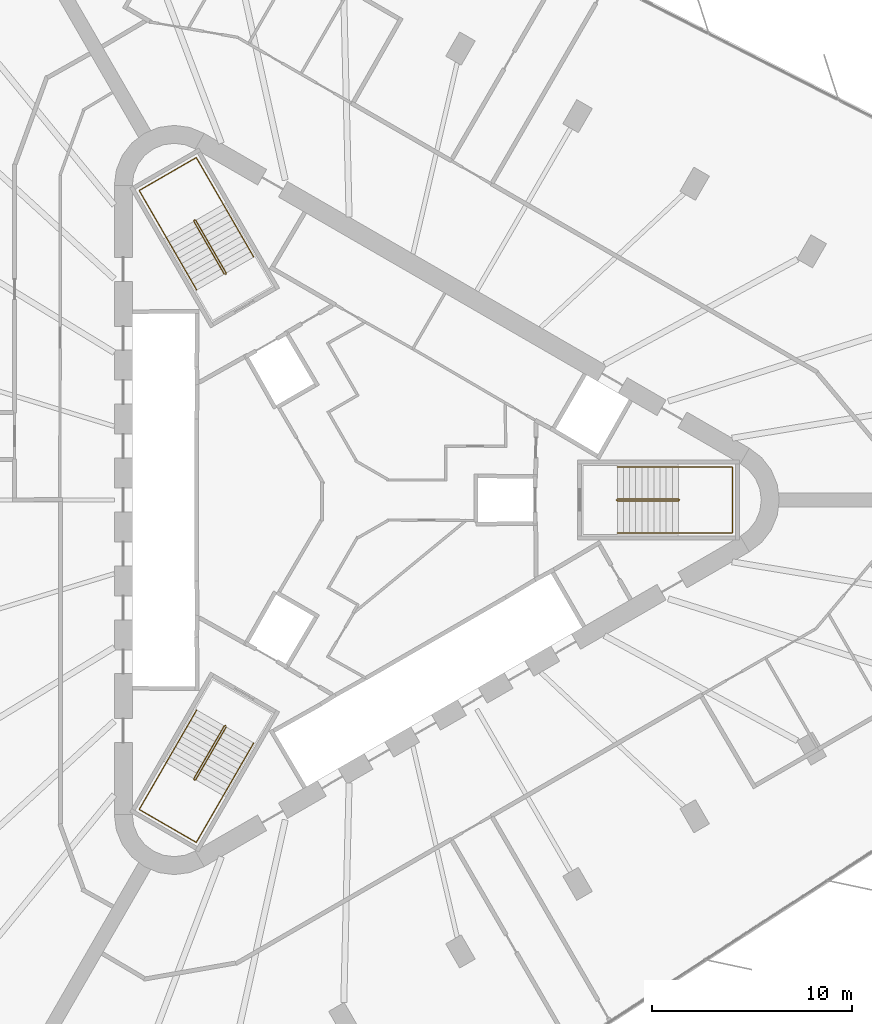
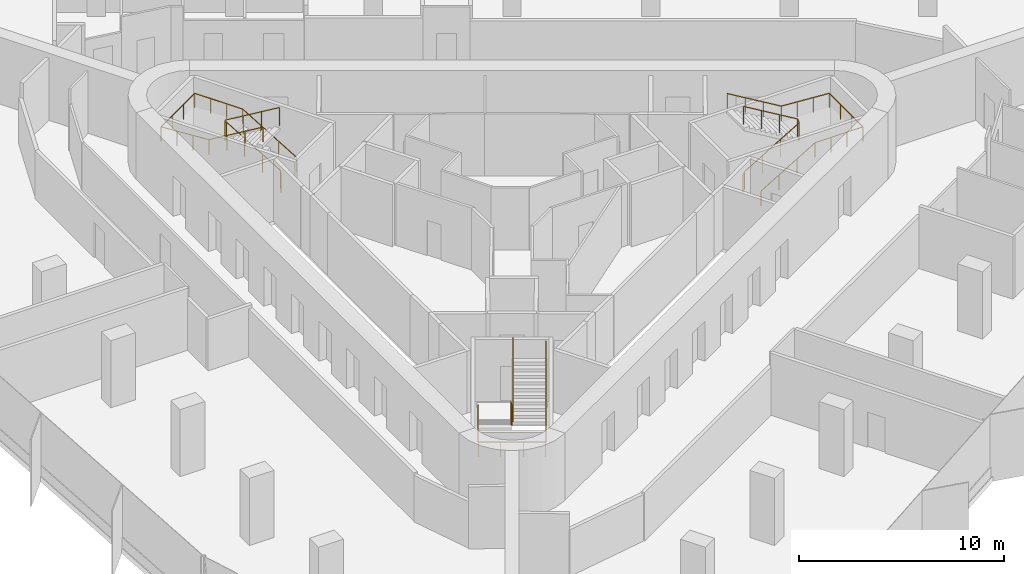
# One storey, part 14 of 14: 6 railings.
"""IFC4 building model written with IfcOpenShell, lengths in metres."""

import ifcopenshell
import ifcopenshell.guid

model = None  # the IFC model being written
_history = None  # IfcOwnerHistory: only IFC2X3 demands one
_inside = {}  # id of a spatial element -> (the spatial element, [elements in it])
_under = {}  # id of a project, library or spatial element -> (it, [spatial elements below it])
_declared = {}  # id of a project -> (the project, [libraries it declares])
_typed = {}  # id of a type object -> (the type object, [elements of that type])
_made_of = {}  # id of a material, layer set ... -> (it, [elements and type objects made of it])


def new_model(schema):
    """Start an empty IFC model of exactly this schema.

    Asked for "IFC4X3", IfcOpenShell would pick the latest addendum, in which some entities
    have other attributes; the version numbers below select the first issue.
    IFC2X3 requires an IfcOwnerHistory on every rooted entity: one is made here for all.
    """
    global model, _history
    if schema == "IFC4X3":
        model = ifcopenshell.file(schema_version=(4, 3, 0, 0))
    else:
        model = ifcopenshell.file(schema=schema)
    _inside.clear()
    _under.clear()
    _declared.clear()
    _typed.clear()
    _made_of.clear()
    _history = None
    if model.schema == "IFC2X3":
        org = make("IfcOrganization", Name="unknown")
        user = make(
            "IfcPersonAndOrganization",
            ThePerson=make("IfcPerson", FamilyName="unknown"),
            TheOrganization=org,
        )
        app = make(
            "IfcApplication",
            ApplicationDeveloper=org,
            Version="unknown",
            ApplicationFullName="unknown",
            ApplicationIdentifier="unknown",
        )
        _history = make(
            "IfcOwnerHistory",
            OwningUser=user,
            OwningApplication=app,
            ChangeAction="ADDED",
            CreationDate=0,
        )
    return model


def make(cls, **values):
    """One entity of the class cls with the attributes given. An attribute that is None is left unset."""
    return model.create_entity(
        cls, **{name: value for name, value in values.items() if value is not None}
    )


def rooted(cls, **values):
    """An entity with a GlobalId (a new one), such as an element, a storey or a relation."""
    return make(cls, GlobalId=ifcopenshell.guid.new(), OwnerHistory=_history, **values)


def si_unit(unit_type, name, prefix=None):
    """IfcSIUnit, for example si_unit("LENGTHUNIT", "METRE", prefix="MILLI")."""
    return make("IfcSIUnit", UnitType=unit_type, Prefix=prefix, Name=name)


def assignment(units):
    """IfcUnitAssignment: the units of a project."""
    return None if units is None else make("IfcUnitAssignment", Units=units)


def point(xyz):
    """IfcCartesianPoint."""
    return None if xyz is None else make("IfcCartesianPoint", Coordinates=xyz)


def direction(xyz):
    """IfcDirection."""
    return None if xyz is None else make("IfcDirection", DirectionRatios=xyz)


def frame(location, z_axis=None, x_axis=None):
    """IfcAxis2Placement3D, a coordinate frame: its origin and axes. An axis left out is left unset."""
    return make(
        "IfcAxis2Placement3D",
        Location=point(location),
        Axis=direction(z_axis),
        RefDirection=direction(x_axis),
    )


def frame_2d(location, x_axis=None):
    """IfcAxis2Placement2D, a coordinate frame in the plane: its origin and x axis."""
    return make(
        "IfcAxis2Placement2D", Location=point(location), RefDirection=direction(x_axis)
    )


def origin():
    """The frame at (0, 0, 0) with its axes left unset."""
    return frame((0.0, 0.0, 0.0))


def origin_2d():
    """The frame at (0, 0) in the plane with its x axis left unset."""
    return frame_2d((0.0, 0.0))


def place(relative_to, where):
    """IfcLocalPlacement: puts the frame where relative to a parent placement (None: the world)."""
    return make(
        "IfcLocalPlacement", PlacementRelTo=relative_to, RelativePlacement=where
    )


def context(
    kind, dimensions, precision=None, world=None, true_north=None, identifier=None
):
    """IfcGeometricRepresentationContext, for example the 3D "Model" context."""
    return make(
        "IfcGeometricRepresentationContext",
        ContextIdentifier=identifier,
        ContextType=kind,
        CoordinateSpaceDimension=dimensions,
        Precision=precision,
        WorldCoordinateSystem=world,
        TrueNorth=true_north,
    )


def subcontext(parent, identifier, kind, view, scale=None):
    """IfcGeometricRepresentationSubContext, for example "Body" below "Model"."""
    return make(
        "IfcGeometricRepresentationSubContext",
        ContextIdentifier=identifier,
        ContextType=kind,
        ParentContext=parent,
        TargetScale=scale,
        TargetView=view,
    )


def project(units=None, contexts=None):
    """IfcProject with its units and contexts."""
    return rooted(
        "IfcProject",
        Name="project",
        RepresentationContexts=contexts,
        UnitsInContext=assignment(units),
    )


def spatial(cls, under=None, at=None, **own):
    """A site, building, storey or space (cls), placed at a placement, below another one or the project."""
    s = rooted(cls, ObjectPlacement=at, **own)
    if under is not None:
        _under.setdefault(under.id(), (under, []))[1].append(s)
    return s


def profile(cls, at=None, kind="AREA", **sizes):
    """A parametric profile (cls). Its sizes go by their IFC names, for example OverallWidth=200.0."""
    return make(cls, ProfileType=kind, Position=at, **sizes)


def circle(**sizes):
    """IfcCircleProfileDef."""
    return profile("IfcCircleProfileDef", **sizes)


def extrude(swept, where, along, depth):
    """IfcExtrudedAreaSolid: the profile swept, set in the frame where, extruded along a direction by depth."""
    return make(
        "IfcExtrudedAreaSolid",
        SweptArea=swept,
        Position=where,
        ExtrudedDirection=direction(along),
        Depth=depth,
    )


def shape(context_of_items, identifier, shape_type, items):
    """IfcShapeRepresentation: the items that make up one representation, for example the "Body"."""
    return make(
        "IfcShapeRepresentation",
        ContextOfItems=context_of_items,
        RepresentationIdentifier=identifier,
        RepresentationType=shape_type,
        Items=items,
    )


def material(Name=None, Category=None):
    """IfcMaterial."""
    return make("IfcMaterial", Name=Name, Category=Category)


def made_of(thing, what):
    """Note that an element or type object is made of a material, layer set ...; save() writes the relation."""
    if what is not None:
        _made_of.setdefault(what.id(), (what, []))[1].append(thing)
    return thing


def type_object(cls, material=None, **own):
    """A type object (cls), such as IfcWallType, which elements share."""
    return made_of(rooted(cls, **own), material)


def element(
    cls,
    number,
    at=None,
    inside=None,
    cuts=None,
    type_object=None,
    material=None,
    context=None,
    identifier="Body",
    shape_type=None,
    held_by="IfcProductDefinitionShape",
    body=None,
    shapes=None,
    **own,
):
    """One element of the class cls, such as IfcWall. Its Tag is "e" and its number.

    at: its placement. inside: the storey or other place that contains it. cuts: it is an
    opening in that element (IfcRelVoidsElement). A single representation is given by context,
    identifier, shape_type and body (its items); several are given by shapes. held_by: the class
    of the entity that holds the representations. save() writes the other relations.
    """
    e = rooted(cls, Tag="e%d" % number, ObjectPlacement=at, **own)
    if body is not None:
        shapes = [shape(context, identifier, shape_type, body)]
    if shapes is not None:
        e.Representation = make(held_by, Representations=shapes)
    if inside is not None:
        _inside.setdefault(inside.id(), (inside, []))[1].append(e)
    if cuts is not None:
        rooted(
            "IfcRelVoidsElement", RelatingBuildingElement=cuts, RelatedOpeningElement=e
        )
    if type_object is not None:
        _typed.setdefault(type_object.id(), (type_object, []))[1].append(e)
    return made_of(e, material)


def aggregate(whole, parts):
    """IfcRelAggregates: a whole, such as a stair, and the parts it consists of."""
    return rooted("IfcRelAggregates", RelatingObject=whole, RelatedObjects=parts)


def save(model, path):
    """Write the relations noted so far, then the file.

    IfcRelAggregates (storeys below a building ...), IfcRelContainedInSpatialStructure (elements
    in a storey), IfcRelDefinesByType, IfcRelAssociatesMaterial and IfcRelDeclares: one each for
    every whole, place, type object, material and project.
    """
    for whole, parts in _under.values():
        aggregate(whole, parts)
    for where, things in _inside.values():
        rooted(
            "IfcRelContainedInSpatialStructure",
            RelatedElements=things,
            RelatingStructure=where,
        )
    for kind, things in _typed.values():
        rooted("IfcRelDefinesByType", RelatedObjects=things, RelatingType=kind)
    for what, things in _made_of.values():
        rooted("IfcRelAssociatesMaterial", RelatedObjects=things, RelatingMaterial=what)
    for by, libraries in _declared.values():
        rooted("IfcRelDeclares", RelatingContext=by, RelatedDefinitions=libraries)
    model.write(path)


model = new_model("IFC4")

# Units and contexts
model_context = context("Model", 3, precision=1e-05, world=origin(), true_north=direction((0.0, 1.0)))
body_context = subcontext(model_context, "Body", "Model", "MODEL_VIEW")
ifc_project = project(units=[si_unit("LENGTHUNIT", "METRE"), si_unit("AREAUNIT", "SQUARE_METRE"), si_unit("VOLUMEUNIT", "CUBIC_METRE"), si_unit("PLANEANGLEUNIT", "RADIAN"), si_unit("MASSUNIT", "GRAM", prefix="KILO")], contexts=[model_context])

# Site, building, storey
site_placement = place(None, origin())
site = spatial("IfcSite", under=ifc_project, at=site_placement, CompositionType="ELEMENT")
building_placement = place(site_placement, origin())
building = spatial("IfcBuilding", under=site, at=building_placement, Name="Tanit Gate Tower", CompositionType="ELEMENT")
storey_placement = place(building_placement, frame((0.0, 0.0, 209.199951171875)))
storey = spatial("IfcBuildingStorey", under=building, at=storey_placement, Name="L46", CompositionType="ELEMENT", Elevation=209.199951171875)

# Railings
ifc_material_1 = material(Name="Stainless steel balustrade", Category="steel")
railing_type_1 = type_object("IfcRailingType", Name="INT-STAIR-GUARD", PredefinedType="GUARDRAIL", material=ifc_material_1)
railing_1_placement = place(storey_placement, frame((13.044921875, 0.0048828125, 0.0)))
element("IfcRailing", 1, at=railing_1_placement, inside=storey, type_object=railing_type_1, Name="L46 S1 stair guard 1", PredefinedType="GUARDRAIL", context=body_context, shape_type="SweptSolid", body=[
    extrude(circle(Radius=0.02392578125, at=origin_2d()), frame((0.0, 0.0, 1.076171875), z_axis=(0.0, -1.0, 0.0), x_axis=(1.0, 0.0, 0.0)), (0.0, 0.0, 1.0), 0.009765625),
    extrude(circle(Radius=0.02392578125, at=origin_2d()), frame((0.0, -0.009765625, 1.076171875), z_axis=(0.256435381639, -0.256435381639, 0.931923704005), x_axis=(0.707106781187, 0.707106781187, 0.0)), (0.0, 0.0, 1.0), 0.195068359375),
    extrude(circle(Radius=0.02392578125, at=origin_2d()), frame((0.050048828125, -0.059814453125, 1.2578125), z_axis=(0.859041732319, 0.0, 0.511905559781), x_axis=(0.0, 1.0, 0.0)), (0.0, 0.0, 1.0), 3.5517578125),
    extrude(circle(Radius=0.02392578125, at=origin_2d()), frame((3.10107421875, -0.059814453125, 3.076171875), z_axis=(0.707106781187, 0.707106781187, 0.0), x_axis=(-0.707106781187, 0.707106781187, 0.0)), (0.0, 0.0, 1.0), 0.07080078125),
    extrude(circle(Radius=0.02392578125, at=origin_2d()), frame((3.151123046875, -0.009765625, 3.076171875), z_axis=(0.0, 1.0, 0.0), x_axis=(-1.0, 0.0, 0.0)), (0.0, 0.0, 1.0), 0.009765625),
    extrude(circle(Radius=0.02392578125, at=origin_2d()), frame((3.151123046875, 0.0, 3.076171875), z_axis=(-0.256435381639, 0.256435381639, 0.931923704005), x_axis=(-0.707106781187, -0.707106781187, 0.0)), (0.0, 0.0, 1.0), 0.195068359375),
    extrude(circle(Radius=0.02392578125, at=origin_2d()), frame((3.10107421875, 0.050048828125, 3.2578125), z_axis=(-0.859041732319, 0.0, 0.511905559781), x_axis=(0.0, -1.0, 0.0)), (0.0, 0.0, 1.0), 3.5517578125),
    extrude(circle(Radius=0.02099609375, at=origin_2d()), origin(), (0.0, 0.0, 1.0), 1.052001953125),
    extrude(circle(Radius=0.02099609375, at=origin_2d()), frame((0.0, -0.009765625, 0.0)), (0.0, 0.0, 1.0), 1.052001953125),
    extrude(circle(Radius=0.02099609375, at=origin_2d()), frame((0.050048828125, -0.059814453125, 0.181884765625)), (0.0, 0.0, 1.0), 1.052001953125),
    extrude(circle(Radius=0.02099609375, at=origin_2d()), frame((1.067138671875, -0.059814453125, 0.787841796875)), (0.0, 0.0, 1.0), 1.052001953125),
    extrude(circle(Radius=0.02099609375, at=origin_2d()), frame((2.083984375, -0.059814453125, 1.39404296875)), (0.0, 0.0, 1.0), 1.052001953125),
    extrude(circle(Radius=0.02099609375, at=origin_2d()), frame((3.10107421875, -0.059814453125, 2.0)), (0.0, 0.0, 1.0), 1.052001953125),
    extrude(circle(Radius=0.02099609375, at=origin_2d()), frame((3.151123046875, -0.009765625, 2.0)), (0.0, 0.0, 1.0), 1.052001953125),
    extrude(circle(Radius=0.02099609375, at=origin_2d()), frame((3.151123046875, 0.0, 2.0)), (0.0, 0.0, 1.0), 1.052001953125),
    extrude(circle(Radius=0.02099609375, at=origin_2d()), frame((3.10107421875, 0.050048828125, 2.181884765625)), (0.0, 0.0, 1.0), 1.052001953125),
    extrude(circle(Radius=0.02099609375, at=origin_2d()), frame((2.083984375, 0.050048828125, 2.787841796875)), (0.0, 0.0, 1.0), 1.052001953125),
    extrude(circle(Radius=0.02099609375, at=origin_2d()), frame((1.067138671875, 0.050048828125, 3.39404296875)), (0.0, 0.0, 1.0), 1.052001953125),
    extrude(circle(Radius=0.02099609375, at=origin_2d()), frame((0.050048828125, 0.050048828125, 4.0)), (0.0, 0.0, 1.0), 1.052001953125),
])
railing_2_placement = place(storey_placement, frame((-6.527099609375, 11.29345703125, 0.0)))
element("IfcRailing", 2, at=railing_2_placement, inside=storey, type_object=railing_type_1, Name="L46 S2 stair guard 1", PredefinedType="GUARDRAIL", context=body_context, shape_type="SweptSolid", body=[
    extrude(circle(Radius=0.02392578125, at=origin_2d()), frame((0.0, 0.0, 1.076171875), z_axis=(0.868243142124, 0.496138938357, 0.0), x_axis=(-0.496138938357, 0.868243142124, 0.0)), (0.0, 0.0, 1.0), 0.01171875),
    extrude(circle(Radius=0.02392578125, at=origin_2d()), frame((0.01025390625, 0.005859375, 1.076171875), z_axis=(0.093819657636, 0.350260055175, 0.93194193252), x_axis=(-0.965948051503, 0.258736085224, 0.0)), (0.0, 0.0, 1.0), 0.195068359375),
    extrude(circle(Radius=0.02392578125, at=origin_2d()), frame((0.028564453125, 0.07421875, 1.2578125), z_axis=(-0.429472220917, 0.743822504634, 0.512134448226), x_axis=(-0.866012246495, -0.500022788402, 0.0)), (0.0, 0.0, 1.0), 3.550048828125),
    extrude(circle(Radius=0.02392578125, at=origin_2d()), frame((-1.49609375, 2.71484375, 3.076171875), z_axis=(-0.965715946433, 0.259601060869, 0.0), x_axis=(-0.259601060869, -0.965715946433, 0.0)), (0.0, 0.0, 1.0), 0.070556640625),
    extrude(circle(Radius=0.02392578125, at=origin_2d()), frame((-1.564208984375, 2.733154296875, 3.076171875), z_axis=(-0.873197702015, -0.487366159264, 0.0), x_axis=(0.487366159264, -0.873197702015, 0.0)), (0.0, 0.0, 1.0), 0.011962890625),
    extrude(circle(Radius=0.02392578125, at=origin_2d()), frame((-1.57470703125, 2.727294921875, 3.076171875), z_axis=(-0.093819657636, -0.350260055175, 0.93194193252), x_axis=(0.965948051503, -0.258736085224, 0.0)), (0.0, 0.0, 1.0), 0.195068359375),
    extrude(circle(Radius=0.02392578125, at=origin_2d()), frame((-1.593017578125, 2.658935546875, 3.2578125), z_axis=(0.429472220917, -0.743822504634, 0.512134448226), x_axis=(0.866012246495, 0.500022788402, 0.0)), (0.0, 0.0, 1.0), 3.550048828125),
    extrude(circle(Radius=0.02099609375, at=origin_2d()), origin(), (0.0, 0.0, 1.0), 1.052001953125),
    extrude(circle(Radius=0.02099609375, at=origin_2d()), frame((0.01025390625, 0.005859375, 0.0)), (0.0, 0.0, 1.0), 1.052001953125),
    extrude(circle(Radius=0.02099609375, at=origin_2d()), frame((0.028564453125, 0.07421875, 0.181884765625)), (0.0, 0.0, 1.0), 1.052001953125),
    extrude(circle(Radius=0.02099609375, at=origin_2d()), frame((-0.479736328125, 0.954345703125, 0.787841796875)), (0.0, 0.0, 1.0), 1.052001953125),
    extrude(circle(Radius=0.02099609375, at=origin_2d()), frame((-0.98779296875, 1.834716796875, 1.39404296875)), (0.0, 0.0, 1.0), 1.052001953125),
    extrude(circle(Radius=0.02099609375, at=origin_2d()), frame((-1.49609375, 2.71484375, 2.0)), (0.0, 0.0, 1.0), 1.052001953125),
    extrude(circle(Radius=0.02099609375, at=origin_2d()), frame((-1.564208984375, 2.733154296875, 2.0)), (0.0, 0.0, 1.0), 1.052001953125),
    extrude(circle(Radius=0.02099609375, at=origin_2d()), frame((-1.57470703125, 2.727294921875, 2.0)), (0.0, 0.0, 1.0), 1.052001953125),
    extrude(circle(Radius=0.02099609375, at=origin_2d()), frame((-1.593017578125, 2.658935546875, 2.181884765625)), (0.0, 0.0, 1.0), 1.052001953125),
    extrude(circle(Radius=0.02099609375, at=origin_2d()), frame((-1.084716796875, 1.77880859375, 2.787841796875)), (0.0, 0.0, 1.0), 1.052001953125),
    extrude(circle(Radius=0.02099609375, at=origin_2d()), frame((-0.57666015625, 0.8984375, 3.39404296875)), (0.0, 0.0, 1.0), 1.052001953125),
    extrude(circle(Radius=0.02099609375, at=origin_2d()), frame((-0.068359375, 0.018310546875, 4.0)), (0.0, 0.0, 1.0), 1.052001953125),
])
railing_3_placement = place(storey_placement, frame((-6.51806640625, -11.2998046875, 0.0)))
element("IfcRailing", 3, at=railing_3_placement, inside=storey, type_object=railing_type_1, Name="L46 S3 stair guard 1", PredefinedType="GUARDRAIL", context=body_context, shape_type="SweptSolid", body=[
    extrude(circle(Radius=0.02392578125, at=origin_2d()), frame((0.0, 0.0, 1.076171875), z_axis=(-0.874157276122, 0.485642931179, 0.0), x_axis=(-0.485642931179, -0.874157276122, 0.0)), (0.0, 0.0, 1.0), 0.010009765625),
    extrude(circle(Radius=0.02392578125, at=origin_2d()), frame((-0.0087890625, 0.0048828125, 1.076171875), z_axis=(-0.350300895388, -0.092579522353, 0.932050596658), x_axis=(0.255512919477, -0.966805641264, 0.0)), (0.0, 0.0, 1.0), 0.195068359375),
    extrude(circle(Radius=0.02392578125, at=origin_2d()), frame((-0.0771484375, -0.01318359375, 1.2578125), z_axis=(-0.429486674828, -0.743971555965, 0.511905772639), x_axis=(0.866048339477, -0.499960272111, 0.0)), (0.0, 0.0, 1.0), 3.5517578125),
    extrude(circle(Radius=0.02392578125, at=origin_2d()), frame((-1.6025390625, -2.655517578125, 3.076171875), z_axis=(0.258736085224, -0.965948051503, 0.0), x_axis=(0.965948051503, 0.258736085224, 0.0)), (0.0, 0.0, 1.0), 0.07080078125),
    extrude(circle(Radius=0.02392578125, at=origin_2d()), frame((-1.584228515625, -2.723876953125, 3.076171875), z_axis=(0.868243142124, -0.496138938357, 0.0), x_axis=(0.496138938357, 0.868243142124, 0.0)), (0.0, 0.0, 1.0), 0.009765625),
    extrude(circle(Radius=0.02392578125, at=origin_2d()), frame((-1.57568359375, -2.728759765625, 3.076171875), z_axis=(0.350260055175, 0.093819657636, 0.93194193252), x_axis=(-0.258736085224, 0.965948051503, 0.0)), (0.0, 0.0, 1.0), 0.195068359375),
    extrude(circle(Radius=0.02392578125, at=origin_2d()), frame((-1.50732421875, -2.71044921875, 3.2578125), z_axis=(0.429564698942, 0.743918894535, 0.511916836777), x_axis=(-0.865993683553, 0.500054937028, 0.0)), (0.0, 0.0, 1.0), 3.551513671875),
    extrude(circle(Radius=0.02099609375, at=origin_2d()), origin(), (0.0, 0.0, 1.0), 1.052001953125),
    extrude(circle(Radius=0.02099609375, at=origin_2d()), frame((-0.0087890625, 0.0048828125, 0.0)), (0.0, 0.0, 1.0), 1.052001953125),
    extrude(circle(Radius=0.02099609375, at=origin_2d()), frame((-0.0771484375, -0.01318359375, 0.181884765625)), (0.0, 0.0, 1.0), 1.052001953125),
    extrude(circle(Radius=0.02099609375, at=origin_2d()), frame((-0.585693359375, -0.89404296875, 0.787841796875)), (0.0, 0.0, 1.0), 1.052001953125),
    extrude(circle(Radius=0.02099609375, at=origin_2d()), frame((-1.093994140625, -1.774658203125, 1.39404296875)), (0.0, 0.0, 1.0), 1.052001953125),
    extrude(circle(Radius=0.02099609375, at=origin_2d()), frame((-1.6025390625, -2.655517578125, 2.0)), (0.0, 0.0, 1.0), 1.052001953125),
    extrude(circle(Radius=0.02099609375, at=origin_2d()), frame((-1.584228515625, -2.723876953125, 2.0)), (0.0, 0.0, 1.0), 1.052001953125),
    extrude(circle(Radius=0.02099609375, at=origin_2d()), frame((-1.57568359375, -2.728759765625, 2.0)), (0.0, 0.0, 1.0), 1.052001953125),
    extrude(circle(Radius=0.02099609375, at=origin_2d()), frame((-1.50732421875, -2.71044921875, 2.181884765625)), (0.0, 0.0, 1.0), 1.052001953125),
    extrude(circle(Radius=0.02099609375, at=origin_2d()), frame((-0.998779296875, -1.829833984375, 2.787841796875)), (0.0, 0.0, 1.0), 1.052001953125),
    extrude(circle(Radius=0.02099609375, at=origin_2d()), frame((-0.490234375, -0.948974609375, 3.39404296875)), (0.0, 0.0, 1.0), 1.052001953125),
    extrude(circle(Radius=0.02099609375, at=origin_2d()), frame((0.018310546875, -0.068359375, 4.0)), (0.0, 0.0, 1.0), 1.052001953125),
])
ifc_material_2 = material(Name="Stainless steel handrail", Category="steel")
railing_type_2 = type_object("IfcRailingType", Name="INT-STAIR-HANDRAIL", PredefinedType="HANDRAIL", material=ifc_material_2)
railing_4_placement = place(storey_placement, frame((13.094970703125, -1.64990234375, 0.181884765625)))
element("IfcRailing", 4, at=railing_4_placement, inside=storey, type_object=railing_type_2, Name="L46 S1 stair handrail 1", PredefinedType="HANDRAIL", context=body_context, shape_type="SweptSolid", body=[
    extrude(circle(Radius=0.02392578125, at=origin_2d()), frame((0.0, 0.0, 0.8759765625), z_axis=(0.859041732319, 0.0, 0.511905559781), x_axis=(0.0, 1.0, 0.0)), (0.0, 0.0, 1.0), 3.5517578125),
    extrude(circle(Radius=0.02392578125, at=origin_2d()), frame((3.051025390625, 0.0, 2.69384765625), z_axis=(1.0, 0.0, 0.0), x_axis=(0.0, 1.0, 0.0)), (0.0, 0.0, 1.0), 2.7041015625),
    extrude(circle(Radius=0.02392578125, at=origin_2d()), frame((5.755126953125, 0.0, 2.69384765625), z_axis=(0.0, 1.0, 0.0), x_axis=(-1.0, 0.0, 0.0)), (0.0, 0.0, 1.0), 3.2998046875),
    extrude(circle(Radius=0.02392578125, at=origin_2d()), frame((5.755126953125, 3.2998046875, 2.69384765625), z_axis=(-0.997745521698, 0.0, 0.067110907698), x_axis=(0.0, -1.0, 0.0)), (0.0, 0.0, 1.0), 2.710205078125),
    extrude(circle(Radius=0.02392578125, at=origin_2d()), frame((3.051025390625, 3.2998046875, 2.8759765625), z_axis=(-0.859041732319, 0.0, 0.511905559781), x_axis=(0.0, -1.0, 0.0)), (0.0, 0.0, 1.0), 3.5517578125),
    extrude(circle(Radius=0.02099609375, at=origin_2d()), origin(), (0.0, 0.0, 1.0), 0.851806640625),
    extrude(circle(Radius=0.02099609375, at=origin_2d()), frame((1.01708984375, 0.0, 0.60595703125)), (0.0, 0.0, 1.0), 0.851806640625),
    extrude(circle(Radius=0.02099609375, at=origin_2d()), frame((2.033935546875, 0.0, 1.212158203125)), (0.0, 0.0, 1.0), 0.851806640625),
    extrude(circle(Radius=0.02099609375, at=origin_2d()), frame((3.051025390625, 0.0, 1.818115234375)), (0.0, 0.0, 1.0), 0.851806640625),
    extrude(circle(Radius=0.02099609375, at=origin_2d()), frame((3.952392578125, 0.0, 1.818115234375)), (0.0, 0.0, 1.0), 0.851806640625),
    extrude(circle(Radius=0.02099609375, at=origin_2d()), frame((4.853759765625, 0.0, 1.818115234375)), (0.0, 0.0, 1.0), 0.851806640625),
    extrude(circle(Radius=0.02099609375, at=origin_2d()), frame((5.755126953125, 0.0, 1.818115234375)), (0.0, 0.0, 1.0), 0.851806640625),
    extrude(circle(Radius=0.02099609375, at=origin_2d()), frame((5.755126953125, 1.099853515625, 1.818115234375)), (0.0, 0.0, 1.0), 0.851806640625),
    extrude(circle(Radius=0.02099609375, at=origin_2d()), frame((5.755126953125, 2.199951171875, 1.818115234375)), (0.0, 0.0, 1.0), 0.851806640625),
    extrude(circle(Radius=0.02099609375, at=origin_2d()), frame((5.755126953125, 3.2998046875, 1.818115234375)), (0.0, 0.0, 1.0), 0.851806640625),
    extrude(circle(Radius=0.02099609375, at=origin_2d()), frame((4.853759765625, 3.2998046875, 1.878662109375)), (0.0, 0.0, 1.0), 0.851806640625),
    extrude(circle(Radius=0.02099609375, at=origin_2d()), frame((3.952392578125, 3.2998046875, 1.939453125)), (0.0, 0.0, 1.0), 0.851806640625),
    extrude(circle(Radius=0.02099609375, at=origin_2d()), frame((3.051025390625, 3.2998046875, 2.0)), (0.0, 0.0, 1.0), 0.851806640625),
    extrude(circle(Radius=0.02099609375, at=origin_2d()), frame((2.033935546875, 3.2998046875, 2.60595703125)), (0.0, 0.0, 1.0), 0.851806640625),
    extrude(circle(Radius=0.02099609375, at=origin_2d()), frame((1.01708984375, 3.2998046875, 3.212158203125)), (0.0, 0.0, 1.0), 0.851806640625),
    extrude(circle(Radius=0.02099609375, at=origin_2d()), frame((0.0, 3.2998046875, 3.818115234375)), (0.0, 0.0, 1.0), 0.851806640625),
])
railing_5_placement = place(storey_placement, frame((-5.1181640625, 12.164794921875, 0.181884765625)))
element("IfcRailing", 5, at=railing_5_placement, inside=storey, type_object=railing_type_2, Name="L46 S2 stair handrail 1", PredefinedType="HANDRAIL", context=body_context, shape_type="SweptSolid", body=[
    extrude(circle(Radius=0.02392578125, at=origin_2d()), frame((0.0, 0.0, 0.8759765625), z_axis=(-0.429416132344, 0.743844472684, 0.512149573602), x_axis=(-0.866046917185, -0.499962735845, 0.0)), (0.0, 0.0, 1.0), 3.550048828125),
    extrude(circle(Radius=0.02392578125, at=origin_2d()), frame((-1.5244140625, 2.640625, 2.69384765625), z_axis=(-0.500019123664, 0.86601436245, 0.0), x_axis=(-0.86601436245, -0.500019123664, 0.0)), (0.0, 0.0, 1.0), 2.70703125),
    extrude(circle(Radius=0.02392578125, at=origin_2d()), frame((-2.8779296875, 4.98486328125, 2.69384765625), z_axis=(-0.866008176907, -0.50002983664, 0.0), x_axis=(0.50002983664, -0.866008176907, 0.0)), (0.0, 0.0, 1.0), 3.300048828125),
    extrude(circle(Radius=0.02392578125, at=origin_2d()), frame((-5.73583984375, 3.334716796875, 2.69384765625), z_axis=(0.498932980467, -0.864043208057, 0.067046369128), x_axis=(0.865991810323, 0.500058181068, 0.0)), (0.0, 0.0, 1.0), 2.712890625),
    extrude(circle(Radius=0.02392578125, at=origin_2d()), frame((-4.38232421875, 0.99072265625, 2.8759765625), z_axis=(0.429450252752, -0.743853224023, 0.512108251761), x_axis=(0.866032263162, 0.499988119021, 0.0)), (0.0, 0.0, 1.0), 3.55029296875),
    extrude(circle(Radius=0.02099609375, at=origin_2d()), origin(), (0.0, 0.0, 1.0), 0.851806640625),
    extrude(circle(Radius=0.02099609375, at=origin_2d()), frame((-0.508056640625, 0.880126953125, 0.60595703125)), (0.0, 0.0, 1.0), 0.851806640625),
    extrude(circle(Radius=0.02099609375, at=origin_2d()), frame((-1.016357421875, 1.760498046875, 1.212158203125)), (0.0, 0.0, 1.0), 0.851806640625),
    extrude(circle(Radius=0.02099609375, at=origin_2d()), frame((-1.5244140625, 2.640625, 1.818115234375)), (0.0, 0.0, 1.0), 0.851806640625),
    extrude(circle(Radius=0.02099609375, at=origin_2d()), frame((-1.9755859375, 3.422119140625, 1.818115234375)), (0.0, 0.0, 1.0), 0.851806640625),
    extrude(circle(Radius=0.02099609375, at=origin_2d()), frame((-2.4267578125, 4.203369140625, 1.818115234375)), (0.0, 0.0, 1.0), 0.851806640625),
    extrude(circle(Radius=0.02099609375, at=origin_2d()), frame((-2.8779296875, 4.98486328125, 1.818115234375)), (0.0, 0.0, 1.0), 0.851806640625),
    extrude(circle(Radius=0.02099609375, at=origin_2d()), frame((-3.83056640625, 4.434814453125, 1.818115234375)), (0.0, 0.0, 1.0), 0.851806640625),
    extrude(circle(Radius=0.02099609375, at=origin_2d()), frame((-4.783203125, 3.884765625, 1.818115234375)), (0.0, 0.0, 1.0), 0.851806640625),
    extrude(circle(Radius=0.02099609375, at=origin_2d()), frame((-5.73583984375, 3.334716796875, 1.818115234375)), (0.0, 0.0, 1.0), 0.851806640625),
    extrude(circle(Radius=0.02099609375, at=origin_2d()), frame((-5.28466796875, 2.553466796875, 1.878662109375)), (0.0, 0.0, 1.0), 0.851806640625),
    extrude(circle(Radius=0.02099609375, at=origin_2d()), frame((-4.83349609375, 1.77197265625, 1.939453125)), (0.0, 0.0, 1.0), 0.851806640625),
    extrude(circle(Radius=0.02099609375, at=origin_2d()), frame((-4.38232421875, 0.99072265625, 2.0)), (0.0, 0.0, 1.0), 0.851806640625),
    extrude(circle(Radius=0.02099609375, at=origin_2d()), frame((-3.8740234375, 0.1103515625, 2.60595703125)), (0.0, 0.0, 1.0), 0.851806640625),
    extrude(circle(Radius=0.02099609375, at=origin_2d()), frame((-3.365966796875, -0.769775390625, 3.212158203125)), (0.0, 0.0, 1.0), 0.851806640625),
    extrude(circle(Radius=0.02099609375, at=origin_2d()), frame((-2.857666015625, -1.650146484375, 3.818115234375)), (0.0, 0.0, 1.0), 0.851806640625),
])
railing_6_placement = place(storey_placement, frame((-7.9765625, -10.515625, 0.181884765625)))
element("IfcRailing", 6, at=railing_6_placement, inside=storey, type_object=railing_type_2, Name="L46 S3 stair handrail 1", PredefinedType="HANDRAIL", context=body_context, shape_type="SweptSolid", body=[
    extrude(circle(Radius=0.02392578125, at=origin_2d()), frame((0.0, 0.0, 0.8759765625), z_axis=(-0.429486674828, -0.743971555965, 0.511905772639), x_axis=(0.866048339477, -0.499960272111, 0.0)), (0.0, 0.0, 1.0), 3.5517578125),
    extrude(circle(Radius=0.02392578125, at=origin_2d()), frame((-1.525390625, -2.642333984375, 2.69384765625), z_axis=(-0.50004290449, -0.866000631449, 0.0), x_axis=(0.866000631449, -0.50004290449, 0.0)), (0.0, 0.0, 1.0), 2.703857421875),
    extrude(circle(Radius=0.02392578125, at=origin_2d()), frame((-2.87744140625, -4.98388671875, 2.69384765625), z_axis=(0.866008176907, -0.50002983664, 0.0), x_axis=(0.50002983664, 0.866008176907, 0.0)), (0.0, 0.0, 1.0), 3.300048828125),
    extrude(circle(Radius=0.02392578125, at=origin_2d()), frame((-0.01953125, -6.634033203125, 2.69384765625), z_axis=(0.498876541924, 0.864070745781, 0.067111416348), x_axis=(-0.866023205937, 0.500003806764, 0.0)), (0.0, 0.0, 1.0), 2.710205078125),
    extrude(circle(Radius=0.02392578125, at=origin_2d()), frame((1.33251953125, -4.292236328125, 2.8759765625), z_axis=(0.429486674828, 0.743971555965, 0.511905772639), x_axis=(-0.866048339477, 0.499960272111, 0.0)), (0.0, 0.0, 1.0), 3.5517578125),
    extrude(circle(Radius=0.02099609375, at=origin_2d()), origin(), (0.0, 0.0, 1.0), 0.851806640625),
    extrude(circle(Radius=0.02099609375, at=origin_2d()), frame((-0.508544921875, -0.880859375, 0.60595703125)), (0.0, 0.0, 1.0), 0.851806640625),
    extrude(circle(Radius=0.02099609375, at=origin_2d()), frame((-1.016845703125, -1.761474609375, 1.212158203125)), (0.0, 0.0, 1.0), 0.851806640625),
    extrude(circle(Radius=0.02099609375, at=origin_2d()), frame((-1.525390625, -2.642333984375, 1.818115234375)), (0.0, 0.0, 1.0), 0.851806640625),
    extrude(circle(Radius=0.02099609375, at=origin_2d()), frame((-1.97607421875, -3.4228515625, 1.818115234375)), (0.0, 0.0, 1.0), 0.851806640625),
    extrude(circle(Radius=0.02099609375, at=origin_2d()), frame((-2.4267578125, -4.203369140625, 1.818115234375)), (0.0, 0.0, 1.0), 0.851806640625),
    extrude(circle(Radius=0.02099609375, at=origin_2d()), frame((-2.87744140625, -4.98388671875, 1.818115234375)), (0.0, 0.0, 1.0), 0.851806640625),
    extrude(circle(Radius=0.02099609375, at=origin_2d()), frame((-1.9248046875, -5.533935546875, 1.818115234375)), (0.0, 0.0, 1.0), 0.851806640625),
    extrude(circle(Radius=0.02099609375, at=origin_2d()), frame((-0.97216796875, -6.083984375, 1.818115234375)), (0.0, 0.0, 1.0), 0.851806640625),
    extrude(circle(Radius=0.02099609375, at=origin_2d()), frame((-0.01953125, -6.634033203125, 1.818115234375)), (0.0, 0.0, 1.0), 0.851806640625),
    extrude(circle(Radius=0.02099609375, at=origin_2d()), frame((0.43115234375, -5.853515625, 1.878662109375)), (0.0, 0.0, 1.0), 0.851806640625),
    extrude(circle(Radius=0.02099609375, at=origin_2d()), frame((0.8818359375, -5.07275390625, 1.939453125)), (0.0, 0.0, 1.0), 0.851806640625),
    extrude(circle(Radius=0.02099609375, at=origin_2d()), frame((1.33251953125, -4.292236328125, 2.0)), (0.0, 0.0, 1.0), 0.851806640625),
    extrude(circle(Radius=0.02099609375, at=origin_2d()), frame((1.841064453125, -3.411376953125, 2.60595703125)), (0.0, 0.0, 1.0), 0.851806640625),
    extrude(circle(Radius=0.02099609375, at=origin_2d()), frame((2.349365234375, -2.53076171875, 3.212158203125)), (0.0, 0.0, 1.0), 0.851806640625),
    extrude(circle(Radius=0.02099609375, at=origin_2d()), frame((2.85791015625, -1.64990234375, 3.818115234375)), (0.0, 0.0, 1.0), 0.851806640625),
])

save(model, "model.ifc")
